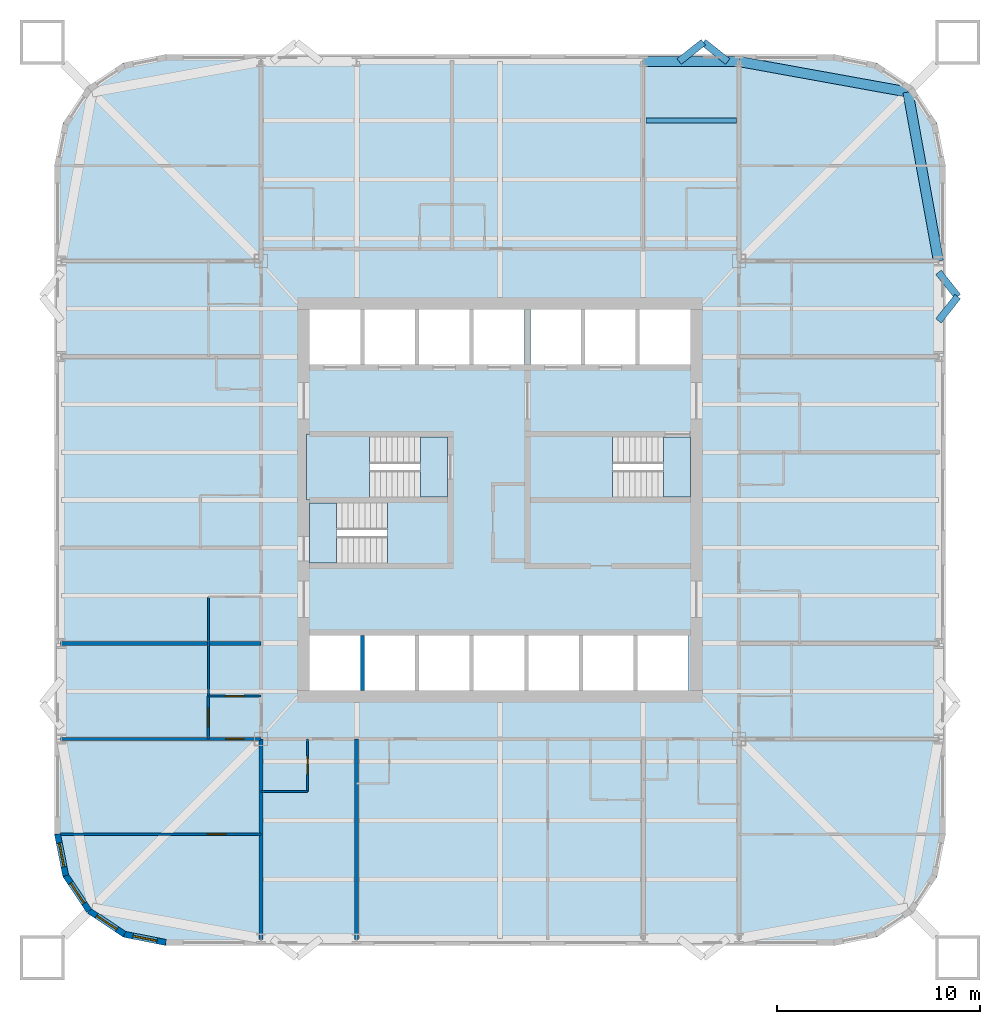
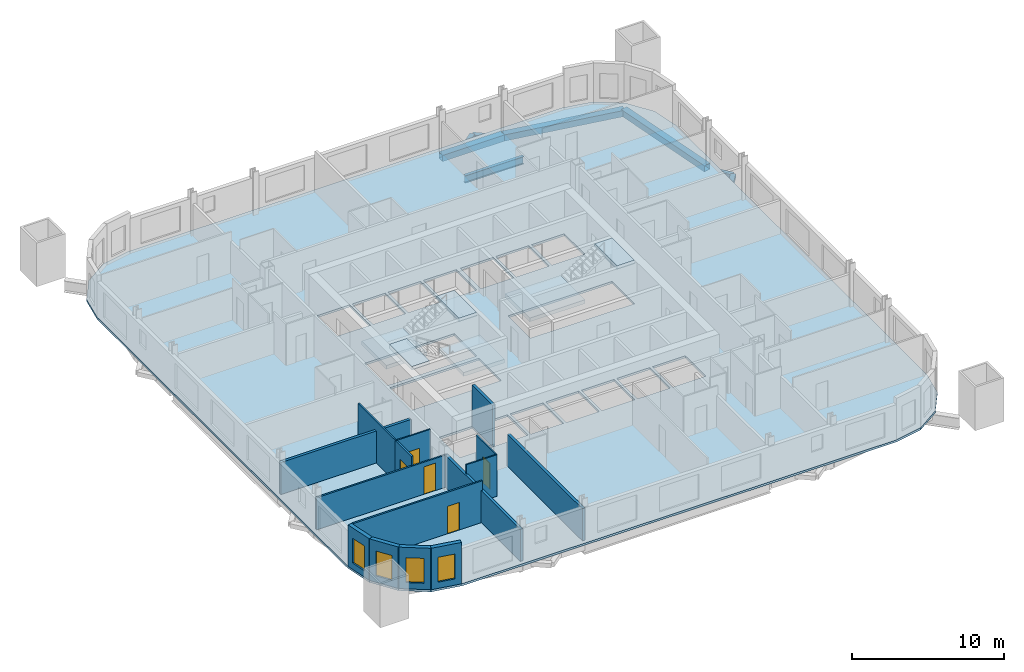
# One storey, part 2 of 9: 15 walls, 8 beams, 7 slabs, 5 doors, 4 windows, 9 openings, 3 elements without a shape of their own.
"""IFC4 building model written with IfcOpenShell, lengths in metres."""

from ifc_helpers import new_model, si_unit, direction, frame, frame_2d, origin, origin_2d, place, context, subcontext, project, spatial, polyline, rectangle, hollow_rectangle, i_section, outline, extrude, material, layer, layer_set, material_profile, profile_set, type_object, element, fill, aggregate, save


model = new_model("IFC4")

# Units and contexts
model_context = context("Model", 3, precision=1e-05, world=origin(), true_north=direction((0.0, 1.0)))
body_context = subcontext(model_context, "Body", "Model", "MODEL_VIEW")
ifc_project = project(units=[si_unit("LENGTHUNIT", "METRE"), si_unit("AREAUNIT", "SQUARE_METRE"), si_unit("VOLUMEUNIT", "CUBIC_METRE"), si_unit("PLANEANGLEUNIT", "RADIAN"), si_unit("MASSUNIT", "GRAM", prefix="KILO")], contexts=[model_context])

# Site, building, storey
site_placement = place(None, origin())
site = spatial("IfcSite", under=ifc_project, at=site_placement, CompositionType="ELEMENT")
building_placement = place(site_placement, origin())
building = spatial("IfcBuilding", under=site, at=building_placement, Name="Turquesa Mirador Hotel Tower", CompositionType="ELEMENT")
storey_placement = place(building_placement, frame((0.0, 0.0, 42.5)))
storey = spatial("IfcBuildingStorey", under=building, at=storey_placement, Name="L10", CompositionType="ELEMENT", Elevation=42.5)

# Beams
ifc_material_1 = material(Name="Steel ASTM A572 Grade 50", Category="steel")
ifc_material_profile_1 = material_profile(ifc_material_1, hollow_rectangle(XDim=0.5, YDim=0.5, WallThickness=0.01611328125, at=origin_2d()), Name="BOX500X500X16")
ifc_profile_set_1 = profile_set([ifc_material_profile_1], Name="Steel ASTM A572 Grade 50")
beam_type_1 = type_object("IfcBeamType", Name="BEAM BOX500X500X16", PredefinedType="BEAM", material=ifc_profile_set_1)
beam_1_placement = place(storey_placement, frame((62.080078125, 66.64990234375, -0.419921875), z_axis=(1.0, 0.0, 0.0), x_axis=(0.0, 1.0, 0.0)))
element("IfcBeam", 1, at=beam_1_placement, inside=storey, type_object=beam_type_1, Name="EB-L10-N-R", PredefinedType="BEAM", context=body_context, shape_type="SweptSolid", body=[
    extrude(hollow_rectangle(XDim=0.5, YDim=0.5, WallThickness=0.01611328125, at=origin_2d()), origin(), (0.0, 0.0, 1.0), 4.719970703125),
])
for number, where, z_axis, x_axis, name in (
    (2, (76.64990234375, 56.800048828125, -0.419921875), (-0.177932387818, 0.984042715214, 0.0), (-0.984042715214, -0.177932387818, 0.0), "KE-L10-1-0"),
    (3, (75.1416015625, 65.1416015625, -0.419921875), (-0.984042715214, 0.177932387818, 0.0), (-0.177932387818, -0.984042715214, 0.0), "KE-L10-1-1"),
):
    element("IfcBeam", number, at=place(storey_placement, frame(where, z_axis=z_axis, x_axis=x_axis)), inside=storey, type_object=beam_type_1, Name=name, PredefinedType="BEAM", context=body_context, shape_type="SweptSolid", body=[
        extrude(hollow_rectangle(XDim=0.5, YDim=0.5, WallThickness=0.01611328125, at=origin_2d()), origin(), (0.0, 0.0, 1.0), 8.476806640625),
    ])
ifc_material_2 = material(Name="Steel ASTM A992 Grade 50", Category="steel")
ifc_material_profile_2 = material_profile(ifc_material_2, i_section(OverallWidth=0.228271484375, OverallDepth=0.607177734375, WebThickness=0.01123046875, FlangeThickness=0.017333984375, at=origin_2d()), Name="W24X76")
ifc_profile_set_2 = profile_set([ifc_material_profile_2], Name="Steel ASTM A992 Grade 50")
beam_type_2 = type_object("IfcBeamType", Name="BEAM W24X76", PredefinedType="BEAM", material=ifc_profile_set_2)
beam_2_placement = place(storey_placement, frame((62.21337890625, 63.737060546875, -0.4736328125), z_axis=(1.0, 0.0, 0.0), x_axis=(0.0, 1.0, 0.0)))
element("IfcBeam", 4, at=beam_2_placement, inside=storey, type_object=beam_type_2, Name="IB-L10-N-3-3", PredefinedType="BEAM", context=body_context, shape_type="SweptSolid", body=[
    extrude(i_section(OverallWidth=0.228271484375, OverallDepth=0.607177734375, WebThickness=0.01123046875, FlangeThickness=0.017333984375, at=origin_2d()), origin(), (0.0, 0.0, 1.0), 4.453369140625),
])
ifc_material_3 = material(Name="Steel ASTM A500 Grade C", Category="steel")
ifc_material_profile_3 = material_profile(ifc_material_3, hollow_rectangle(XDim=0.355712890625, YDim=0.355712890625, WallThickness=0.0146484375, at=origin_2d()), Name="HSS14X14X5/8")
ifc_profile_set_3 = profile_set([ifc_material_profile_3], Name="Steel ASTM A500 Grade C")
beam_type_3 = type_object("IfcBeamType", Name="BRACE STRUT HSS14X14X5/8", PredefinedType="BEAM", material=ifc_profile_set_3)
for number, where, z_axis, x_axis, name in (
    (5, (65.04443359375, 67.60009765625, -0.347900390625), (-0.783971428146, -0.620796907089, 0.0), (0.620796907089, -0.783971428146, 0.0), "Brace strut"),
    (6, (65.04443359375, 67.60009765625, -0.347900390625), (0.783971428146, -0.620796907089, 0.0), (0.620796907089, 0.783971428146, 0.0), "Brace strut"),
    (7, (77.60009765625, 55.04443359375, -0.347900390625), (-0.620796907089, -0.783971428146, 0.0), (0.783971428146, -0.620796907089, 0.0), "Brace strut"),
    (8, (77.60009765625, 55.04443359375, -0.347900390625), (-0.620796907089, 0.783971428146, 0.0), (-0.783971428146, -0.620796907089, 0.0), "Brace strut"),
):
    element("IfcBeam", number, at=place(storey_placement, frame(where, z_axis=z_axis, x_axis=x_axis)), inside=storey, type_object=beam_type_3, Name=name, PredefinedType="BEAM", context=body_context, shape_type="SweptSolid", body=[
        extrude(hollow_rectangle(XDim=0.355712890625, YDim=0.355712890625, WallThickness=0.0146484375, at=origin_2d()), origin(), (0.0, 0.0, 1.0), 1.530517578125),
    ])

# Slab
ifc_material_4 = material(Name="Concrete C28/35", Category="concrete")
ifc_layer_1 = layer(ifc_material_4, 0.169921875)
ifc_layer_set_1 = layer_set([ifc_layer_1], Name="COMPOSITE FLOOR SLAB 170")
slab_type_1 = type_object("IfcSlabType", Name="COMPOSITE FLOOR SLAB 170", PredefinedType="FLOOR", material=ifc_layer_set_1)
slab_1_placement = place(storey_placement, frame((0.0, 0.0, -0.169921875)))
element("IfcSlab", 9, at=slab_1_placement, inside=storey, type_object=slab_type_1, Name="Floor slab L10", PredefinedType="FLOOR", context=body_context, shape_type="SweptSolid", body=[
    extrude(outline(polyline([(71.5, 23.0), (73.604736328125, 23.418701171875), (75.38916015625, 24.61083984375), (76.581298828125, 26.395263671875), (77.0, 28.5), (77.0, 61.5), (76.581298828125, 63.604736328125), (75.38916015625, 65.38916015625), (73.604736328125, 66.581298828125), (71.5, 67.0), (38.5, 67.0), (36.395263671875, 66.581298828125), (34.61083984375, 65.38916015625), (33.418701171875, 63.604736328125), (33.0, 61.5), (33.0, 28.5), (33.418701171875, 26.395263671875), (34.61083984375, 24.61083984375), (36.395263671875, 23.418701171875), (38.5, 23.0), (71.5, 23.0)]), holes=[polyline([(45.60009765625, 51.699951171875), (48.10009765625, 51.699951171875), (48.10009765625, 54.39990234375), (45.60009765625, 54.39990234375), (45.60009765625, 51.699951171875)]), polyline([(48.300048828125, 51.699951171875), (50.800048828125, 51.699951171875), (50.800048828125, 54.39990234375), (48.300048828125, 54.39990234375), (48.300048828125, 51.699951171875)]), polyline([(51.0, 51.699951171875), (53.5, 51.699951171875), (53.5, 54.39990234375), (51.0, 54.39990234375), (51.0, 51.699951171875)]), polyline([(53.699951171875, 51.699951171875), (56.199951171875, 51.699951171875), (56.199951171875, 54.39990234375), (53.699951171875, 54.39990234375), (53.699951171875, 51.699951171875)]), polyline([(56.5, 51.699951171875), (59.0, 51.699951171875), (59.0, 54.39990234375), (56.5, 54.39990234375), (56.5, 51.699951171875)]), polyline([(59.199951171875, 51.699951171875), (61.699951171875, 51.699951171875), (61.699951171875, 54.39990234375), (59.199951171875, 54.39990234375), (59.199951171875, 51.699951171875)]), polyline([(45.60009765625, 35.60009765625), (48.10009765625, 35.60009765625), (48.10009765625, 38.300048828125), (45.60009765625, 38.300048828125), (45.60009765625, 35.60009765625)]), polyline([(48.300048828125, 35.60009765625), (50.800048828125, 35.60009765625), (50.800048828125, 38.300048828125), (48.300048828125, 38.300048828125), (48.300048828125, 35.60009765625)]), polyline([(51.0, 35.60009765625), (53.5, 35.60009765625), (53.5, 38.300048828125), (51.0, 38.300048828125), (51.0, 35.60009765625)]), polyline([(53.699951171875, 35.60009765625), (56.199951171875, 35.60009765625), (56.199951171875, 38.300048828125), (53.699951171875, 38.300048828125), (53.699951171875, 35.60009765625)]), polyline([(56.39990234375, 35.60009765625), (58.89990234375, 35.60009765625), (58.89990234375, 38.300048828125), (56.39990234375, 38.300048828125), (56.39990234375, 35.60009765625)]), polyline([(59.10009765625, 35.60009765625), (61.60009765625, 35.60009765625), (61.60009765625, 38.300048828125), (59.10009765625, 38.300048828125), (59.10009765625, 35.60009765625)]), polyline([(61.800048828125, 35.60009765625), (64.300048828125, 35.60009765625), (64.300048828125, 38.300048828125), (61.800048828125, 38.300048828125), (61.800048828125, 35.60009765625)]), polyline([(45.60009765625, 45.14990234375), (52.39990234375, 45.14990234375), (52.39990234375, 48.10009765625), (45.60009765625, 48.10009765625), (45.60009765625, 45.14990234375)]), polyline([(45.60009765625, 41.89990234375), (52.39990234375, 41.89990234375), (52.39990234375, 44.85009765625), (45.60009765625, 44.85009765625), (45.60009765625, 41.89990234375)]), polyline([(56.5, 45.14990234375), (64.39990234375, 45.14990234375), (64.39990234375, 48.10009765625), (56.5, 48.10009765625), (56.5, 45.14990234375)]), polyline([(61.89990234375, 51.699951171875), (64.39990234375, 51.699951171875), (64.39990234375, 54.39990234375), (61.89990234375, 54.39990234375), (61.89990234375, 51.699951171875)])]), origin(), (0.0, 0.0, 1.0), 0.169921875),
])

# Stair, slabs
ifc_material_5 = material(Name="Concrete C35/45", Category="concrete")
stair_type = type_object("IfcStairType", Name="ESCAPE STAIR CORE", PredefinedType="HALF_TURN_STAIR", material=ifc_material_5)
stair_1_placement = place(storey_placement, origin())
stair_1 = element("IfcStair", 10, at=stair_1_placement, inside=storey, type_object=stair_type, Name="Stair ST1 L10 to L11", PredefinedType="HALF_TURN_STAIR")
ifc_material_6 = material(Name="Concrete C35/45", Category="concrete")
ifc_layer_2 = layer(ifc_material_6, 0.300048828125)
ifc_layer_set_2 = layer_set([ifc_layer_2], Name="STAIR LANDING 300")
slab_type_2 = type_object("IfcSlabType", Name="STAIR LANDING 300", PredefinedType="LANDING", material=ifc_layer_set_2)
slab_2_placement = place(storey_placement, frame((0.0, 0.0, 1.449951171875)))
slab_2 = element("IfcSlab", 11, at=slab_2_placement, type_object=slab_type_2, Name="ST1 landing 1", PredefinedType="LANDING", context=body_context, shape_type="SweptSolid", body=[
    extrude(outline(polyline([(45.449951171875, 45.0), (48.550048828125, 45.0), (48.550048828125, 48.25), (45.449951171875, 48.25), (45.449951171875, 45.0)])), origin(), (0.0, 0.0, 1.0), 0.300048828125),
])
slab_3_placement = place(storey_placement, frame((0.0, 0.0, 3.199951171875)))
slab_3 = element("IfcSlab", 12, at=slab_3_placement, type_object=slab_type_2, Name="ST1 landing 2", PredefinedType="LANDING", context=body_context, shape_type="SweptSolid", body=[
    extrude(outline(polyline([(51.070068359375, 45.14990234375), (52.39990234375, 45.14990234375), (52.39990234375, 48.10009765625), (51.070068359375, 48.10009765625), (51.070068359375, 45.14990234375)])), origin(), (0.0, 0.0, 1.0), 0.300048828125),
])
aggregate(stair_1, [slab_2, slab_3])

stair_2_placement = place(storey_placement, origin())
stair_2 = element("IfcStair", 13, at=stair_2_placement, inside=storey, type_object=stair_type, Name="Stair ST2 L10 to L11", PredefinedType="HALF_TURN_STAIR")
slab_4_placement = place(storey_placement, frame((0.0, 0.0, 1.449951171875)))
slab_4 = element("IfcSlab", 14, at=slab_4_placement, type_object=slab_type_2, Name="ST2 landing 1", PredefinedType="LANDING", context=body_context, shape_type="SweptSolid", body=[
    extrude(outline(polyline([(52.550048828125, 45.0), (49.449951171875, 45.0), (49.449951171875, 41.75), (52.550048828125, 41.75), (52.550048828125, 45.0)])), origin(), (0.0, 0.0, 1.0), 0.300048828125),
])
slab_5_placement = place(storey_placement, frame((0.0, 0.0, 3.199951171875)))
slab_5 = element("IfcSlab", 15, at=slab_5_placement, type_object=slab_type_2, Name="ST2 landing 2", PredefinedType="LANDING", context=body_context, shape_type="SweptSolid", body=[
    extrude(outline(polyline([(46.929931640625, 44.85009765625), (45.60009765625, 44.85009765625), (45.60009765625, 41.89990234375), (46.929931640625, 41.89990234375), (46.929931640625, 44.85009765625)])), origin(), (0.0, 0.0, 1.0), 0.300048828125),
])
aggregate(stair_2, [slab_4, slab_5])

stair_3_placement = place(storey_placement, origin())
stair_3 = element("IfcStair", 16, at=stair_3_placement, inside=storey, type_object=stair_type, Name="Stair ST3 L10 to L11", PredefinedType="HALF_TURN_STAIR")
slab_6_placement = place(storey_placement, frame((0.0, 0.0, 1.449951171875)))
slab_6 = element("IfcSlab", 17, at=slab_6_placement, type_object=slab_type_2, Name="ST3 landing 1", PredefinedType="LANDING", context=body_context, shape_type="SweptSolid", body=[
    extrude(outline(polyline([(56.35009765625, 45.0), (60.550048828125, 45.0), (60.550048828125, 48.25), (56.35009765625, 48.25), (56.35009765625, 45.0)])), origin(), (0.0, 0.0, 1.0), 0.300048828125),
])
slab_7_placement = place(storey_placement, frame((0.0, 0.0, 3.199951171875)))
slab_7 = element("IfcSlab", 18, at=slab_7_placement, type_object=slab_type_2, Name="ST3 landing 2", PredefinedType="LANDING", context=body_context, shape_type="SweptSolid", body=[
    extrude(outline(polyline([(63.070068359375, 45.14990234375), (64.39990234375, 45.14990234375), (64.39990234375, 48.10009765625), (63.070068359375, 48.10009765625), (63.070068359375, 45.14990234375)])), origin(), (0.0, 0.0, 1.0), 0.300048828125),
])
aggregate(stair_3, [slab_6, slab_7])

# Wall
ifc_material_7 = material(Name="Gypsum board on steel studs", Category="steel")
ifc_layer_3 = layer(ifc_material_7, 0.10009765625)
ifc_layer_set_3 = layer_set([ifc_layer_3], Name="BATHROOM WALL 100")
wall_type_1 = type_object("IfcWallType", Name="BATHROOM WALL 100", PredefinedType="PARTITIONING", material=ifc_layer_set_3)
wall_1_placement = place(storey_placement, frame((43.199951171875, 30.60009765625, 0.0), z_axis=(0.0, 0.0, 1.0), x_axis=(1.0, 0.0, 0.0)))
element("IfcWall", 19, at=wall_1_placement, inside=storey, type_object=wall_type_1, Name="Partition L10 006", PredefinedType="PARTITIONING", context=body_context, shape_type="SweptSolid", body=[
    extrude(rectangle(XDim=2.300048828125, YDim=0.10009765625, at=frame_2d((1.14990234375, 0.0))), origin(), (0.0, 0.0, 1.0), 3.330078125),
])

# Wall, opening, door
wall_2_placement = place(storey_placement, frame((40.60009765625, 35.320068359375, 0.0), z_axis=(0.0, 0.0, 1.0), x_axis=(1.0, 0.0, 0.0)))
wall_2 = element("IfcWall", 20, at=wall_2_placement, inside=storey, type_object=wall_type_1, Name="Partition L10 016", PredefinedType="PARTITIONING", context=body_context, shape_type="SweptSolid", body=[
    extrude(rectangle(XDim=2.599853515625, YDim=0.10009765625, at=frame_2d((1.2998046875, 0.0))), origin(), (0.0, 0.0, 1.0), 3.330078125),
])
opening_1_placement = place(wall_2_placement, frame((0.85009765625, 0.0, 0.0)))
opening_1 = element("IfcOpeningElement", 21, at=opening_1_placement, cuts=wall_2, Name="Opening D02", PredefinedType="OPENING", context=body_context, shape_type="SweptSolid", body=[
    extrude(rectangle(XDim=0.89990234375, YDim=2.10009765625, at=frame_2d((0.449951171875, 1.050048828125))), frame((0.0, 0.06005859375, 0.0), z_axis=(0.0, -1.0, 0.0), x_axis=(1.0, 0.0, 0.0)), (0.0, 0.0, 1.0), 0.1201171875),
])
ifc_material_8 = material(Name="Timber veneered door", Category="wood")
door_type_1 = type_object("IfcDoorType", Name="DOOR 900X2100 EN-SUITE", OperationType="SINGLE_SWING_RIGHT", PredefinedType="DOOR", material=ifc_material_8)
door_1_placement = place(opening_1_placement, origin())
door_1 = element("IfcDoor", 22, at=door_1_placement, inside=storey, type_object=door_type_1, Name="Door 1012B", OperationType="SINGLE_SWING_RIGHT", OverallHeight=2.10009765625, OverallWidth=0.89990234375, PredefinedType="DOOR", context=body_context, shape_type="SweptSolid", body=[
    extrude(rectangle(XDim=0.89990234375, YDim=2.10009765625, at=frame_2d((0.449951171875, 1.050048828125))), frame((0.0, 0.02490234375, 0.0), z_axis=(0.0, -1.0, 0.0), x_axis=(1.0, 0.0, 0.0)), (0.0, 0.0, 1.0), 0.050048828125),
])
fill(opening_1, door_1)

# Wall
wall_3_placement = place(storey_placement, frame((40.60009765625, 35.320068359375, 0.0), z_axis=(0.0, 0.0, 1.0), x_axis=(0.0, 1.0, 0.0)))
element("IfcWall", 23, at=wall_3_placement, inside=storey, type_object=wall_type_1, Name="Partition L10 041", PredefinedType="PARTITIONING", context=body_context, shape_type="SweptSolid", body=[
    extrude(rectangle(XDim=4.89990234375, YDim=0.10009765625, at=frame_2d((2.449951171875, 0.0))), origin(), (0.0, 0.0, 1.0), 3.330078125),
])

# Wall, opening, door
wall_4_placement = place(storey_placement, frame((45.5, 30.60009765625, 0.0), z_axis=(0.0, 0.0, 1.0), x_axis=(0.0, 1.0, 0.0)))
wall_4 = element("IfcWall", 24, at=wall_4_placement, inside=storey, type_object=wall_type_1, Name="Partition L10 051", PredefinedType="PARTITIONING", context=body_context, shape_type="SweptSolid", body=[
    extrude(rectangle(XDim=2.599853515625, YDim=0.10009765625, at=frame_2d((1.2998046875, 0.0))), origin(), (0.0, 0.0, 1.0), 3.330078125),
])
opening_2_placement = place(wall_4_placement, frame((0.85009765625, 0.0, 0.0)))
opening_2 = element("IfcOpeningElement", 25, at=opening_2_placement, cuts=wall_4, Name="Opening D02", PredefinedType="OPENING", context=body_context, shape_type="SweptSolid", body=[
    extrude(rectangle(XDim=0.89990234375, YDim=2.10009765625, at=frame_2d((0.449951171875, 1.050048828125))), frame((0.0, 0.06005859375, 0.0), z_axis=(0.0, -1.0, 0.0), x_axis=(1.0, 0.0, 0.0)), (0.0, 0.0, 1.0), 0.1201171875),
])
door_2_placement = place(opening_2_placement, origin())
door_2 = element("IfcDoor", 26, at=door_2_placement, inside=storey, type_object=door_type_1, Name="Door 1003B", OperationType="SINGLE_SWING_RIGHT", OverallHeight=2.10009765625, OverallWidth=0.89990234375, PredefinedType="DOOR", context=body_context, shape_type="SweptSolid", body=[
    extrude(rectangle(XDim=0.89990234375, YDim=2.10009765625, at=frame_2d((0.449951171875, 1.050048828125))), frame((0.0, 0.02490234375, 0.0), z_axis=(0.0, -1.0, 0.0), x_axis=(1.0, 0.0, 0.0)), (0.0, 0.0, 1.0), 0.050048828125),
])
fill(opening_2, door_2)

# Wall, opening, window
ifc_material_9 = material(Name="Limestone cladding on concrete block", Category="masonry")
ifc_layer_4 = layer(ifc_material_9, 0.300048828125)
ifc_layer_set_4 = layer_set([ifc_layer_4], Name="FACADE WALL 300 STONE SCREEN")
wall_type_2 = type_object("IfcWallType", Name="FACADE WALL 300 STONE SCREEN", PredefinedType="SOLIDWALL", material=ifc_layer_set_4)
wall_5_placement = place(storey_placement, frame((33.14990234375, 28.5, 0.0), z_axis=(0.0, 0.0, 1.0), x_axis=(0.195081421501, -0.980787050784, 0.0)))
wall_5 = element("IfcWall", 27, at=wall_5_placement, inside=storey, type_object=wall_type_2, Name="Facade wall L10 15", PredefinedType="SOLIDWALL", context=body_context, shape_type="SweptSolid", body=[
    extrude(rectangle(XDim=2.08740234375, YDim=0.300048828125, at=frame_2d((1.043701171875, 0.0))), origin(), (0.0, 0.0, 1.0), 3.330078125),
])
opening_3_placement = place(wall_5_placement, frame((0.443603515625, 0.0, 0.5)))
opening_3 = element("IfcOpeningElement", 28, at=opening_3_placement, cuts=wall_5, Name="Opening WN4", PredefinedType="OPENING", context=body_context, shape_type="SweptSolid", body=[
    extrude(rectangle(XDim=1.199951171875, YDim=2.0, at=frame_2d((0.60009765625, 1.0))), frame((0.0, 0.159912109375, 0.0), z_axis=(0.0, -1.0, 0.0), x_axis=(1.0, 0.0, 0.0)), (0.0, 0.0, 1.0), 0.320068359375),
])
ifc_material_10 = material(Name="Ceramic-fritted laminated glass", Category="glass")
window_type = type_object("IfcWindowType", Name="FRITTED CORNER WINDOW 1200X2000", PartitioningType="DOUBLE_PANEL_HORIZONTAL", PredefinedType="WINDOW", material=ifc_material_10)
window_1_placement = place(opening_3_placement, origin())
window_1 = element("IfcWindow", 29, at=window_1_placement, inside=storey, type_object=window_type, Name="Window L10", OverallHeight=2.0, OverallWidth=1.199951171875, PartitioningType="SINGLE_PANEL", PredefinedType="WINDOW", context=body_context, shape_type="SweptSolid", body=[
    extrude(rectangle(XDim=1.199951171875, YDim=2.0, at=frame_2d((0.60009765625, 1.0))), frame((0.0, 0.030029296875, 0.0), z_axis=(0.0, -1.0, 0.0), x_axis=(1.0, 0.0, 0.0)), (0.0, 0.0, 1.0), 0.06005859375),
])
fill(opening_3, window_1)

wall_6_placement = place(storey_placement, frame((33.55712890625, 26.45263671875, 0.0), z_axis=(0.0, 0.0, 1.0), x_axis=(0.555644460423, -0.831420010345, 0.0)))
wall_6 = element("IfcWall", 30, at=wall_6_placement, inside=storey, type_object=wall_type_2, Name="Facade wall L10 16", PredefinedType="SOLIDWALL", context=body_context, shape_type="SweptSolid", body=[
    extrude(rectangle(XDim=2.08740234375, YDim=0.300048828125, at=frame_2d((1.043701171875, 0.0))), origin(), (0.0, 0.0, 1.0), 3.330078125),
])
opening_4_placement = place(wall_6_placement, frame((0.443603515625, 0.0, 0.5)))
opening_4 = element("IfcOpeningElement", 31, at=opening_4_placement, cuts=wall_6, Name="Opening WN4", PredefinedType="OPENING", context=body_context, shape_type="SweptSolid", body=[
    extrude(rectangle(XDim=1.199951171875, YDim=2.0, at=frame_2d((0.60009765625, 1.0))), frame((0.0, 0.159912109375, 0.0), z_axis=(0.0, -1.0, 0.0), x_axis=(1.0, 0.0, 0.0)), (0.0, 0.0, 1.0), 0.320068359375),
])
window_2_placement = place(opening_4_placement, origin())
window_2 = element("IfcWindow", 32, at=window_2_placement, inside=storey, type_object=window_type, Name="Window L10", OverallHeight=2.0, OverallWidth=1.199951171875, PartitioningType="SINGLE_PANEL", PredefinedType="WINDOW", context=body_context, shape_type="SweptSolid", body=[
    extrude(rectangle(XDim=1.199951171875, YDim=2.0, at=frame_2d((0.60009765625, 1.0))), frame((0.0, 0.030029296875, 0.0), z_axis=(0.0, -1.0, 0.0), x_axis=(1.0, 0.0, 0.0)), (0.0, 0.0, 1.0), 0.06005859375),
])
fill(opening_4, window_2)

wall_7_placement = place(storey_placement, frame((34.717041015625, 24.717041015625, 0.0), z_axis=(0.0, 0.0, 1.0), x_axis=(0.831420010345, -0.555644460423, 0.0)))
wall_7 = element("IfcWall", 33, at=wall_7_placement, inside=storey, type_object=wall_type_2, Name="Facade wall L10 17", PredefinedType="SOLIDWALL", context=body_context, shape_type="SweptSolid", body=[
    extrude(rectangle(XDim=2.08740234375, YDim=0.300048828125, at=frame_2d((1.043701171875, 0.0))), origin(), (0.0, 0.0, 1.0), 3.330078125),
])
opening_5_placement = place(wall_7_placement, frame((0.443603515625, 0.0, 0.5)))
opening_5 = element("IfcOpeningElement", 34, at=opening_5_placement, cuts=wall_7, Name="Opening WN4", PredefinedType="OPENING", context=body_context, shape_type="SweptSolid", body=[
    extrude(rectangle(XDim=1.199951171875, YDim=2.0, at=frame_2d((0.60009765625, 1.0))), frame((0.0, 0.159912109375, 0.0), z_axis=(0.0, -1.0, 0.0), x_axis=(1.0, 0.0, 0.0)), (0.0, 0.0, 1.0), 0.320068359375),
])
window_3_placement = place(opening_5_placement, origin())
window_3 = element("IfcWindow", 35, at=window_3_placement, inside=storey, type_object=window_type, Name="Window L10", OverallHeight=2.0, OverallWidth=1.199951171875, PartitioningType="SINGLE_PANEL", PredefinedType="WINDOW", context=body_context, shape_type="SweptSolid", body=[
    extrude(rectangle(XDim=1.199951171875, YDim=2.0, at=frame_2d((0.60009765625, 1.0))), frame((0.0, 0.030029296875, 0.0), z_axis=(0.0, -1.0, 0.0), x_axis=(1.0, 0.0, 0.0)), (0.0, 0.0, 1.0), 0.06005859375),
])
fill(opening_5, window_3)

wall_8_placement = place(storey_placement, frame((36.45263671875, 23.55712890625, 0.0), z_axis=(0.0, 0.0, 1.0), x_axis=(0.980787050784, -0.195081421501, 0.0)))
wall_8 = element("IfcWall", 36, at=wall_8_placement, inside=storey, type_object=wall_type_2, Name="Facade wall L10 18", PredefinedType="SOLIDWALL", context=body_context, shape_type="SweptSolid", body=[
    extrude(rectangle(XDim=2.08740234375, YDim=0.300048828125, at=frame_2d((1.043701171875, 0.0))), origin(), (0.0, 0.0, 1.0), 3.330078125),
])
opening_6_placement = place(wall_8_placement, frame((0.443603515625, 0.0, 0.5)))
opening_6 = element("IfcOpeningElement", 37, at=opening_6_placement, cuts=wall_8, Name="Opening WN4", PredefinedType="OPENING", context=body_context, shape_type="SweptSolid", body=[
    extrude(rectangle(XDim=1.199951171875, YDim=2.0, at=frame_2d((0.60009765625, 1.0))), frame((0.0, 0.159912109375, 0.0), z_axis=(0.0, -1.0, 0.0), x_axis=(1.0, 0.0, 0.0)), (0.0, 0.0, 1.0), 0.320068359375),
])
window_4_placement = place(opening_6_placement, origin())
window_4 = element("IfcWindow", 38, at=window_4_placement, inside=storey, type_object=window_type, Name="Window L10", OverallHeight=2.0, OverallWidth=1.199951171875, PartitioningType="SINGLE_PANEL", PredefinedType="WINDOW", context=body_context, shape_type="SweptSolid", body=[
    extrude(rectangle(XDim=1.199951171875, YDim=2.0, at=frame_2d((0.60009765625, 1.0))), frame((0.0, 0.030029296875, 0.0), z_axis=(0.0, -1.0, 0.0), x_axis=(1.0, 0.0, 0.0)), (0.0, 0.0, 1.0), 0.06005859375),
])
fill(opening_6, window_4)

# Walls
ifc_material_11 = material(Name="Fire-rated gypsum shaft wall on steel studs", Category="steel")
ifc_layer_5 = layer(ifc_material_11, 0.199951171875)
ifc_layer_set_5 = layer_set([ifc_layer_5], Name="LIFT SHAFT DIVIDER 200")
wall_type_3 = type_object("IfcWallType", Name="LIFT SHAFT DIVIDER 200", PredefinedType="PARTITIONING", material=ifc_layer_set_5)
wall_9_placement = place(storey_placement, frame((48.199951171875, 35.60009765625, 0.0), z_axis=(0.0, 0.0, 1.0), x_axis=(0.0, 1.0, 0.0)))
element("IfcWall", 39, at=wall_9_placement, inside=storey, type_object=wall_type_3, Name="Lift shaft divider", PredefinedType="PARTITIONING", context=body_context, shape_type="SweptSolid", body=[
    extrude(rectangle(XDim=2.699951171875, YDim=0.199951171875, at=frame_2d((1.35009765625, 0.0))), origin(), (0.0, 0.0, 1.0), 3.330078125),
])
ifc_material_12 = material(Name="Fire-rated gypsum board on steel studs", Category="steel")
ifc_layer_6 = layer(ifc_material_12, 0.199951171875)
ifc_layer_set_6 = layer_set([ifc_layer_6], Name="PARTY WALL 200")
wall_type_4 = type_object("IfcWallType", Name="PARTY WALL 200", PredefinedType="PARTITIONING", material=ifc_layer_set_6)
for number, where, z_axis, x_axis, name in (
    (40, (33.300048828125, 37.919921875, 0.0), (0.0, 0.0, 1.0), (1.0, 0.0, 0.0), "Partition L10 014"),
    (41, (43.199951171875, 23.300048828125, 0.0), (0.0, 0.0, 1.0), (0.0, 1.0, 0.0), "Partition L10 038"),
    (42, (47.919921875, 23.300048828125, 0.0), (0.0, 0.0, 1.0), (0.0, 1.0, 0.0), "Partition L10 049"),
):
    element("IfcWall", number, at=place(storey_placement, frame(where, z_axis=z_axis, x_axis=x_axis)), inside=storey, type_object=wall_type_4, Name=name, PredefinedType="PARTITIONING", context=body_context, shape_type="SweptSolid", body=[
        extrude(rectangle(XDim=9.89990234375, YDim=0.199951171875, at=frame_2d((4.949951171875, 0.0))), origin(), (0.0, 0.0, 1.0), 2.572998046875),
    ])

# Wall, opening, door
ifc_material_13 = material(Name="Acoustic gypsum board on steel studs", Category="steel")
ifc_layer_7 = layer(ifc_material_13, 0.125)
ifc_layer_set_7 = layer_set([ifc_layer_7], Name="SUITE PARTITION 125")
wall_type_5 = type_object("IfcWallType", Name="SUITE PARTITION 125", PredefinedType="PARTITIONING", material=ifc_layer_set_7)
wall_10_placement = place(storey_placement, frame((33.300048828125, 33.199951171875, 0.0), z_axis=(0.0, 0.0, 1.0), x_axis=(1.0, 0.0, 0.0)))
wall_10 = element("IfcWall", 43, at=wall_10_placement, inside=storey, type_object=wall_type_5, Name="Partition L10 002", PredefinedType="PARTITIONING", context=body_context, shape_type="SweptSolid", body=[
    extrude(rectangle(XDim=9.89990234375, YDim=0.125, at=frame_2d((4.949951171875, 0.0))), origin(), (0.0, 0.0, 1.0), 2.572998046875),
])
opening_7_placement = place(wall_10_placement, frame((8.14990234375, 0.0, 0.0)))
opening_7 = element("IfcOpeningElement", 44, at=opening_7_placement, cuts=wall_10, Name="Opening D17", PredefinedType="OPENING", context=body_context, shape_type="SweptSolid", body=[
    extrude(rectangle(XDim=0.89990234375, YDim=2.199951171875, at=frame_2d((0.449951171875, 1.10009765625))), frame((0.0, 0.072509765625, 0.0), z_axis=(0.0, -1.0, 0.0), x_axis=(1.0, 0.0, 0.0)), (0.0, 0.0, 1.0), 0.14501953125),
])
ifc_material_14 = material(Name="Timber veneered door", Category="wood")
door_type_2 = type_object("IfcDoorType", Name="DOOR 900X2200 SUITE INTERNAL", OperationType="SINGLE_SWING_LEFT", PredefinedType="DOOR", material=ifc_material_14)
door_3_placement = place(opening_7_placement, origin())
door_3 = element("IfcDoor", 45, at=door_3_placement, inside=storey, type_object=door_type_2, Name="Door 1012", OperationType="SINGLE_SWING_LEFT", OverallHeight=2.199951171875, OverallWidth=0.89990234375, PredefinedType="DOOR", context=body_context, shape_type="SweptSolid", body=[
    extrude(rectangle(XDim=0.89990234375, YDim=2.199951171875, at=frame_2d((0.449951171875, 1.10009765625))), frame((0.0, 0.02490234375, 0.0), z_axis=(0.0, -1.0, 0.0), x_axis=(1.0, 0.0, 0.0)), (0.0, 0.0, 1.0), 0.050048828125),
])
fill(opening_7, door_3)

wall_11_placement = place(storey_placement, frame((33.305908203125, 28.5, 0.0), z_axis=(0.0, 0.0, 1.0), x_axis=(1.0, 0.0, 0.0)))
wall_11 = element("IfcWall", 46, at=wall_11_placement, inside=storey, type_object=wall_type_5, Name="Partition L10 009", PredefinedType="PARTITIONING", context=body_context, shape_type="SweptSolid", body=[
    extrude(rectangle(XDim=9.89404296875, YDim=0.125, at=frame_2d((4.947021484375, 0.0))), origin(), (0.0, 0.0, 1.0), 3.330078125),
])
opening_8_placement = place(wall_11_placement, frame((7.244140625, 0.0, 0.0)))
opening_8 = element("IfcOpeningElement", 47, at=opening_8_placement, cuts=wall_11, Name="Opening D17", PredefinedType="OPENING", context=body_context, shape_type="SweptSolid", body=[
    extrude(rectangle(XDim=0.89990234375, YDim=2.199951171875, at=frame_2d((0.449951171875, 1.10009765625))), frame((0.0, 0.072509765625, 0.0), z_axis=(0.0, -1.0, 0.0), x_axis=(1.0, 0.0, 0.0)), (0.0, 0.0, 1.0), 0.14501953125),
])
door_4_placement = place(opening_8_placement, origin())
door_4 = element("IfcDoor", 48, at=door_4_placement, inside=storey, type_object=door_type_2, Name="Door 1012M", OperationType="SINGLE_SWING_LEFT", OverallHeight=2.199951171875, OverallWidth=0.89990234375, PredefinedType="DOOR", context=body_context, shape_type="SweptSolid", body=[
    extrude(rectangle(XDim=0.89990234375, YDim=2.199951171875, at=frame_2d((0.449951171875, 1.10009765625))), frame((0.0, 0.02490234375, 0.0), z_axis=(0.0, -1.0, 0.0), x_axis=(1.0, 0.0, 0.0)), (0.0, 0.0, 1.0), 0.050048828125),
])
fill(opening_8, door_4)

wall_12_placement = place(storey_placement, frame((40.60009765625, 33.199951171875, 0.0), z_axis=(0.0, 0.0, 1.0), x_axis=(0.0, 1.0, 0.0)))
wall_12 = element("IfcWall", 49, at=wall_12_placement, inside=storey, type_object=wall_type_5, Name="Partition L10 043", PredefinedType="PARTITIONING", context=body_context, shape_type="SweptSolid", body=[
    extrude(rectangle(XDim=2.1201171875, YDim=0.125, at=frame_2d((1.06005859375, 0.0))), origin(), (0.0, 0.0, 1.0), 3.330078125),
])
opening_9_placement = place(wall_12_placement, frame((0.610107421875, 0.0, 0.0)))
opening_9 = element("IfcOpeningElement", 50, at=opening_9_placement, cuts=wall_12, Name="Opening D17", PredefinedType="OPENING", context=body_context, shape_type="SweptSolid", body=[
    extrude(rectangle(XDim=0.89990234375, YDim=2.199951171875, at=frame_2d((0.449951171875, 1.10009765625))), frame((0.0, 0.072509765625, 0.0), z_axis=(0.0, -1.0, 0.0), x_axis=(1.0, 0.0, 0.0)), (0.0, 0.0, 1.0), 0.14501953125),
])
door_5_placement = place(opening_9_placement, origin())
door_5 = element("IfcDoor", 51, at=door_5_placement, inside=storey, type_object=door_type_2, Name="Door 1012R", OperationType="SINGLE_SWING_LEFT", OverallHeight=2.199951171875, OverallWidth=0.89990234375, PredefinedType="DOOR", context=body_context, shape_type="SweptSolid", body=[
    extrude(rectangle(XDim=0.89990234375, YDim=2.199951171875, at=frame_2d((0.449951171875, 1.10009765625))), frame((0.0, 0.02490234375, 0.0), z_axis=(0.0, -1.0, 0.0), x_axis=(1.0, 0.0, 0.0)), (0.0, 0.0, 1.0), 0.050048828125),
])
fill(opening_9, door_5)

save(model, "model.ifc")
